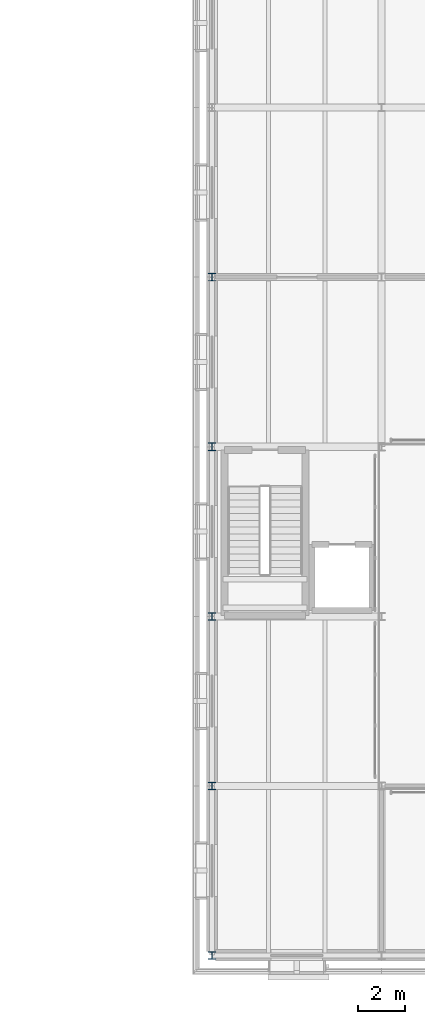
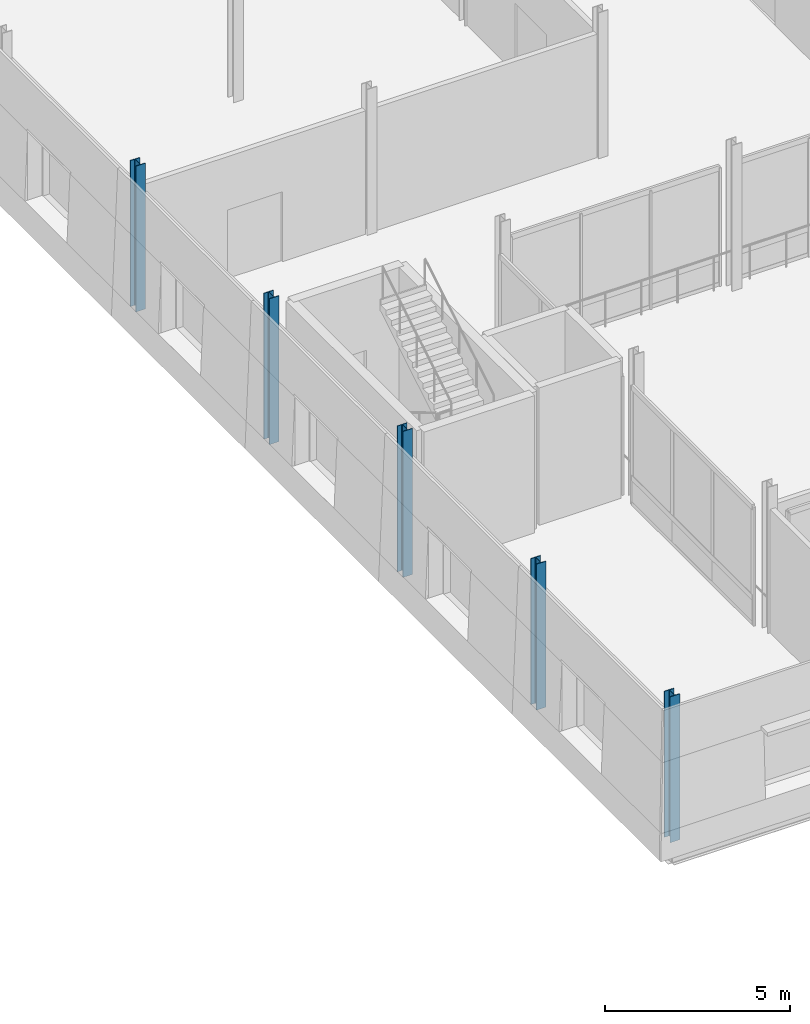
# One storey, part 5 of 121: 5 columns.
"""IFC4 building model written with IfcOpenShell, lengths in metres."""

from ifc_helpers import new_model, si_unit, direction, frame, origin, origin_2d, place, context, subcontext, project, spatial, i_section, extrude, material, material_profile, profile_set, type_object, element, save


model = new_model("IFC4")

# Units and contexts
model_context = context("Model", 3, precision=1e-05, world=origin(), true_north=direction((0.0, 1.0)))
body_context = subcontext(model_context, "Body", "Model", "MODEL_VIEW")
ifc_project = project(units=[si_unit("LENGTHUNIT", "METRE"), si_unit("AREAUNIT", "SQUARE_METRE"), si_unit("VOLUMEUNIT", "CUBIC_METRE"), si_unit("PLANEANGLEUNIT", "RADIAN"), si_unit("MASSUNIT", "GRAM", prefix="KILO")], contexts=[model_context])

# Site, building, storey
site_placement = place(None, origin())
site = spatial("IfcSite", under=ifc_project, at=site_placement, CompositionType="ELEMENT")
building_placement = place(site_placement, origin())
building = spatial("IfcBuilding", under=site, at=building_placement, Name="Narikvali Park Central Library", CompositionType="ELEMENT")
storey_placement = place(building_placement, frame((0.0, 0.0, 5.39990234375)))
storey = spatial("IfcBuildingStorey", under=building, at=storey_placement, Name="L01", CompositionType="ELEMENT", Elevation=5.39990234375)

# Columns
ifc_material = material(Name="Steel S355", Category="steel")
ifc_material_profile = material_profile(ifc_material, i_section(OverallWidth=0.300048828125, OverallDepth=0.320068359375, WebThickness=0.011474609375, FlangeThickness=0.0205078125, FilletRadius=0.027099609375, at=origin_2d()), Name="HEB 320")
ifc_profile_set = profile_set([ifc_material_profile], Name="Steel S355")
column_type = type_object("IfcColumnType", Name="Steel Column HEB320", PredefinedType="COLUMN", material=ifc_profile_set)
for number, where, z_axis, x_axis, name in (
    (1, (122.39990234375, 0.0, 0.0), (0.0, 0.0, 1.0), (1.0, 0.0, 0.0), "V6 L01 Column (122.4,0.0)"),
    (2, (122.39990234375, 7.199951171875, 0.0), (0.0, 0.0, 1.0), (1.0, 0.0, 0.0), "V6 L01 Column (122.4,7.2)"),
    (3, (122.39990234375, 14.39990234375, 0.0), (0.0, 0.0, 1.0), (1.0, 0.0, 0.0), "V6 L01 Column (122.4,14.4)"),
    (4, (122.39990234375, 21.60009765625, 0.0), (0.0, 0.0, 1.0), (1.0, 0.0, 0.0), "V6 L01 Column (122.4,21.6)"),
    (5, (122.39990234375, 28.800048828125, 0.0), (0.0, 0.0, 1.0), (1.0, 0.0, 0.0), "V6 L01 Column (122.4,28.8)"),
):
    element("IfcColumn", number, at=place(storey_placement, frame(where, z_axis=z_axis, x_axis=x_axis)), inside=storey, type_object=column_type, Name=name, PredefinedType="COLUMN", context=body_context, shape_type="SweptSolid", body=[
        extrude(i_section(OverallWidth=0.300048828125, OverallDepth=0.320068359375, WebThickness=0.011474609375, FlangeThickness=0.0205078125, FilletRadius=0.027099609375, at=origin_2d()), origin(), (0.0, 0.0, 1.0), 4.800048828125),
    ])

save(model, "model.ifc")
